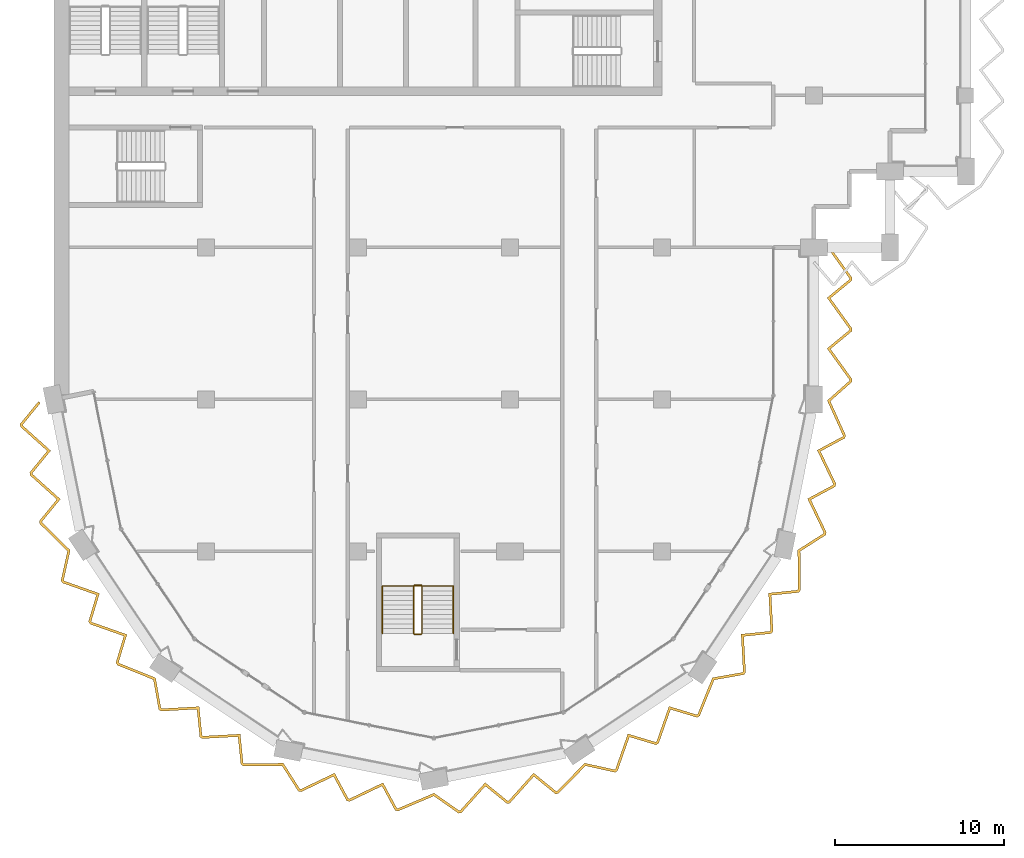
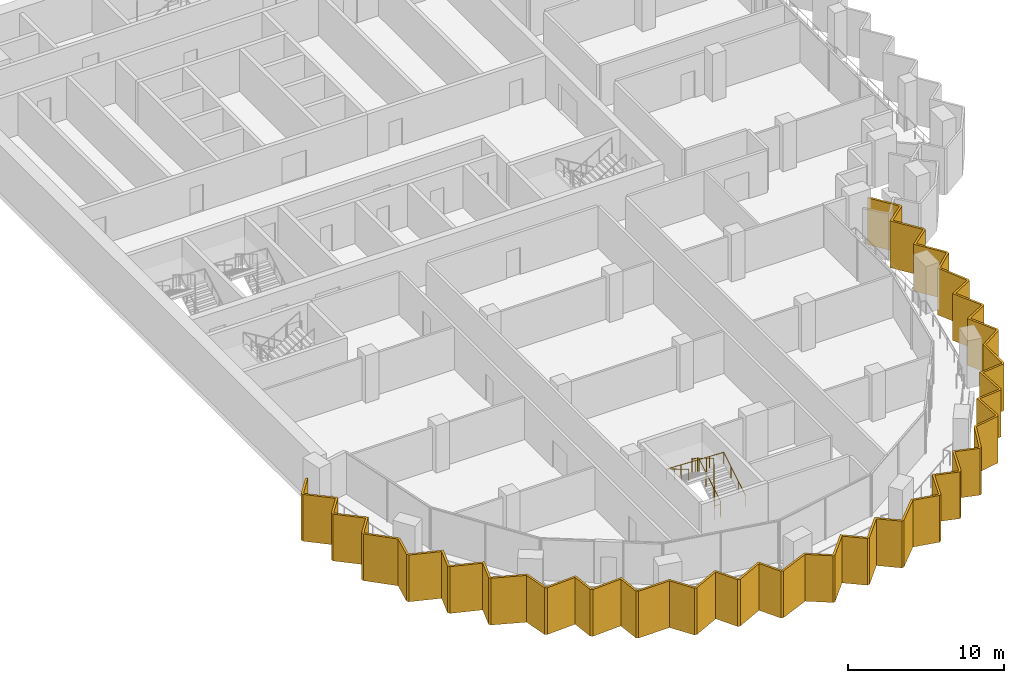
# One storey, part 13 of 16: 2 railings, 1 shading device.
"""IFC4 building model written with IfcOpenShell, lengths in metres."""

from ifc_helpers import new_model, si_unit, direction, frame, origin, origin_2d, place, context, subcontext, project, spatial, polyline, circle, outline, extrude, material, layer, layer_set, type_object, element, save


model = new_model("IFC4")

# Units and contexts
model_context = context("Model", 3, precision=1e-05, world=origin(), true_north=direction((0.0, 1.0)))
body_context = subcontext(model_context, "Body", "Model", "MODEL_VIEW")
ifc_project = project(units=[si_unit("LENGTHUNIT", "METRE"), si_unit("AREAUNIT", "SQUARE_METRE"), si_unit("VOLUMEUNIT", "CUBIC_METRE"), si_unit("PLANEANGLEUNIT", "RADIAN"), si_unit("MASSUNIT", "GRAM", prefix="KILO")], contexts=[model_context])

# Site, building, storey
site_placement = place(None, origin())
site = spatial("IfcSite", under=ifc_project, at=site_placement, CompositionType="ELEMENT")
building_placement = place(site_placement, origin())
building = spatial("IfcBuilding", under=site, at=building_placement, Name="Hunhe Ridgeline Campus", CompositionType="ELEMENT")
storey_placement = place(building_placement, frame((0.0, 0.0, 250.300048828125)))
storey = spatial("IfcBuildingStorey", under=building, at=storey_placement, Name="L64", CompositionType="ELEMENT", Elevation=250.300048828125)

# Shading device
ifc_material_1 = material(Name="Concrete C50", Category="concrete")
ifc_layer = layer(ifc_material_1, 0.14990234375)
ifc_layer_set = layer_set([ifc_layer], Name="Sawtooth concrete fin 150 Concrete C50")
shading_device_type = type_object("IfcShadingDeviceType", Name="Sawtooth concrete fin 150 Concrete C50", PredefinedType="USERDEFINED", material=ifc_layer_set)
shading_device_placement = place(storey_placement, frame((0.0, 0.0, -0.949951171875)))
element("IfcShadingDevice", 1, at=shading_device_placement, inside=storey, type_object=shading_device_type, Name="Concrete fin screen 1", ObjectType="FIN", PredefinedType="USERDEFINED", context=body_context, shape_type="SweptSolid", body=[
    extrude(outline(polyline([(-0.800048828125, 44.781982421875), (-0.916259765625, 44.876708984375), (-2.00439453125, 43.543701171875), (-1.96923828125, 43.366943359375), (-0.390625, 41.951171875), (-1.43359375, 40.673583984375), (-1.3984375, 40.496826171875), (0.18017578125, 39.0810546875), (-0.862548828125, 37.803466796875), (-0.827880859375, 37.62841796875), (0.806396484375, 36.02392578125), (0.419921875, 34.2744140625), (0.518310546875, 34.127197265625), (2.5185546875, 33.42333984375), (2.0439453125, 31.843994140625), (2.14404296875, 31.694091796875), (4.144287109375, 30.990234375), (3.669677734375, 29.410888671875), (3.768798828125, 29.262451171875), (5.892578125, 28.4052734375), (6.205322265625, 26.64111328125), (6.3525390625, 26.542724609375), (8.4697265625, 26.657958984375), (8.6357421875, 25.017333984375), (8.78564453125, 24.9169921875), (10.90283203125, 25.0322265625), (11.06884765625, 23.391357421875), (11.21728515625, 23.292236328125), (13.50732421875, 23.31298828125), (14.47119140625, 21.802978515625), (14.644775390625, 21.768310546875), (16.556884765625, 22.68505859375), (17.338134765625, 21.232666015625), (17.514892578125, 21.197509765625), (19.427001953125, 22.1142578125), (20.208251953125, 20.661865234375), (20.38330078125, 20.626953125), (22.4912109375, 21.5224609375), (23.95947265625, 20.496337890625), (24.133056640625, 20.53076171875), (25.548828125, 22.109375), (26.826416015625, 21.06640625), (27.003173828125, 21.1015625), (28.4189453125, 22.68017578125), (29.696533203125, 21.637451171875), (29.87158203125, 21.672119140625), (31.47607421875, 23.306396484375), (33.2255859375, 22.919921875), (33.372802734375, 23.018310546875), (34.07666015625, 25.0185546875), (35.656005859375, 24.5439453125), (35.805908203125, 24.64404296875), (36.509765625, 26.644287109375), (38.089111328125, 26.169677734375), (38.237548828125, 26.268798828125), (39.0947265625, 28.392578125), (40.85888671875, 28.705322265625), (40.957275390625, 28.8525390625), (40.842041015625, 30.9697265625), (42.482666015625, 31.1357421875), (42.5830078125, 31.28564453125), (42.4677734375, 33.40283203125), (44.108642578125, 33.56884765625), (44.207763671875, 33.71728515625), (44.18701171875, 36.00732421875), (45.697021484375, 36.97119140625), (45.731689453125, 37.144775390625), (44.81494140625, 39.056884765625), (46.267333984375, 39.838134765625), (46.302490234375, 40.014892578125), (45.3857421875, 41.927001953125), (46.838134765625, 42.708251953125), (46.873291015625, 42.88427734375), (45.966064453125, 44.89453125), (47.25, 46.0390625), (47.25, 46.216796875), (45.976806640625, 47.98681640625), (47.25, 49.037353515625), (47.25, 49.216796875), (45.976806640625, 50.98681640625), (47.25, 52.037353515625), (47.25, 52.216796875), (45.935791015625, 54.043701171875), (45.814208984375, 53.956298828125), (47.10009765625, 52.16845703125), (47.10009765625, 52.10791015625), (45.773193359375, 51.01318359375), (47.10009765625, 49.16845703125), (47.10009765625, 49.10791015625), (45.773193359375, 48.01318359375), (47.10009765625, 46.16845703125), (47.10009765625, 46.106201171875), (45.783935546875, 44.93310546875), (46.716796875, 42.8662109375), (46.704833984375, 42.806884765625), (45.188720703125, 41.9912109375), (46.1455078125, 39.9951171875), (46.134033203125, 39.936767578125), (44.617919921875, 39.12109375), (45.57470703125, 37.125), (45.5625, 37.063232421875), (44.0361328125, 36.089111328125), (44.057373046875, 33.76220703125), (44.023193359375, 33.7109375), (42.310302734375, 33.537841796875), (42.430419921875, 31.327392578125), (42.397216796875, 31.27783203125), (40.6845703125, 31.1044921875), (40.8046875, 28.894287109375), (40.769775390625, 28.841796875), (38.98681640625, 28.52587890625), (38.11572265625, 26.367919921875), (38.064697265625, 26.333740234375), (36.415771484375, 26.8291015625), (35.68115234375, 24.7412109375), (35.631591796875, 24.7080078125), (33.982666015625, 25.203369140625), (33.247802734375, 23.115234375), (33.195556640625, 23.080322265625), (31.427490234375, 23.470703125), (29.796875, 21.810302734375), (29.736572265625, 21.79833984375), (28.40283203125, 22.886962890625), (26.925048828125, 21.239013671875), (26.866455078125, 21.227294921875), (25.53271484375, 22.316162109375), (24.054931640625, 20.668212890625), (23.9931640625, 20.65576171875), (22.5087890625, 21.693115234375), (20.3671875, 20.783203125), (20.306884765625, 20.795166015625), (19.4912109375, 22.311279296875), (17.4951171875, 21.3544921875), (17.436767578125, 21.365966796875), (16.62109375, 22.882080078125), (14.625, 21.92529296875), (14.563232421875, 21.9375), (13.589111328125, 23.4638671875), (11.26220703125, 23.442626953125), (11.2109375, 23.476806640625), (11.037841796875, 25.189697265625), (8.827392578125, 25.069580078125), (8.77783203125, 25.102783203125), (8.6044921875, 26.8154296875), (6.394287109375, 26.6953125), (6.341796875, 26.730224609375), (6.02587890625, 28.51318359375), (3.867919921875, 29.38427734375), (3.833740234375, 29.435302734375), (4.3291015625, 31.084228515625), (2.2412109375, 31.81884765625), (2.2080078125, 31.868408203125), (2.703369140625, 33.517333984375), (0.615234375, 34.252197265625), (0.580322265625, 34.304443359375), (0.970703125, 36.072509765625), (-0.689697265625, 37.703125), (-0.70166015625, 37.763427734375), (0.386962890625, 39.09716796875), (-1.260986328125, 40.574951171875), (-1.272705078125, 40.633544921875), (-0.183837890625, 41.96728515625), (-1.831787109375, 43.445068359375), (-1.843505859375, 43.503662109375), (-0.800048828125, 44.781982421875)])), origin(), (0.0, 0.0, 1.0), 3.64990234375),
])

# Railings
ifc_material_2 = material(Name="Stainless steel balustrade", Category="steel")
railing_type_1 = type_object("IfcRailingType", Name="Stair guard 1100 stainless", PredefinedType="GUARDRAIL", material=ifc_material_2)
railing_1_placement = place(storey_placement, frame((21.800048828125, 31.14990234375, 0.168212890625)))
element("IfcRailing", 2, at=railing_1_placement, inside=storey, type_object=railing_type_1, Name="L64 stair W3 guard", PredefinedType="GUARDRAIL", context=body_context, shape_type="SweptSolid", body=[
    extrude(circle(Radius=0.02392578125, at=origin_2d()), frame((0.0, 0.0, 1.076171875), z_axis=(0.0, 0.857275202839, 0.514858452973), x_axis=(-1.0, 0.0, 0.0)), (0.0, 0.0, 1.0), 3.26611328125),
    extrude(circle(Radius=0.02392578125, at=origin_2d()), frame((0.0, 2.800048828125, 2.7578125), z_axis=(-0.707106781187, 0.707106781187, 0.0), x_axis=(-0.707106781187, -0.707106781187, 0.0)), (0.0, 0.0, 1.0), 0.07080078125),
    extrude(circle(Radius=0.02392578125, at=origin_2d()), frame((-0.050048828125, 2.85009765625, 2.7578125), z_axis=(-1.0, 0.0, 0.0), x_axis=(0.0, -1.0, 0.0)), (0.0, 0.0, 1.0), 0.39990234375),
    extrude(circle(Radius=0.02392578125, at=origin_2d()), frame((-0.449951171875, 2.85009765625, 2.7578125), z_axis=(-0.274243871929, -0.274243871929, 0.92172696468), x_axis=(0.707106781187, -0.707106781187, 0.0)), (0.0, 0.0, 1.0), 0.1826171875),
    extrude(circle(Radius=0.02392578125, at=origin_2d()), frame((-0.5, 2.800048828125, 2.92578125), z_axis=(0.0, -0.857242210791, 0.514913383045), x_axis=(1.0, 0.0, 0.0)), (0.0, 0.0, 1.0), 3.266357421875),
    extrude(circle(Radius=0.02392578125, at=origin_2d()), frame((-0.5, 0.0, 4.60791015625), z_axis=(0.013524426427, -0.013458453615, -0.999817963389), x_axis=(0.705375805398, 0.708833529934, 0.0)), (0.0, 0.0, 1.0), 3.70068359375),
    extrude(circle(Radius=0.02392578125, at=origin_2d()), frame((-0.449951171875, -0.0498046875, 0.90771484375), z_axis=(1.0, 0.0, 0.0), x_axis=(0.0, 1.0, 0.0)), (0.0, 0.0, 1.0), 0.39990234375),
    extrude(circle(Radius=0.02099609375, at=origin_2d()), origin(), (0.0, 0.0, 1.0), 1.052001953125),
    extrude(circle(Radius=0.02099609375, at=origin_2d()), frame((0.0, 0.933349609375, 0.560546875)), (0.0, 0.0, 1.0), 1.052001953125),
    extrude(circle(Radius=0.02099609375, at=origin_2d()), frame((0.0, 1.86669921875, 1.12109375)), (0.0, 0.0, 1.0), 1.052001953125),
    extrude(circle(Radius=0.02099609375, at=origin_2d()), frame((0.0, 2.800048828125, 1.681640625)), (0.0, 0.0, 1.0), 1.052001953125),
    extrude(circle(Radius=0.02099609375, at=origin_2d()), frame((-0.050048828125, 2.85009765625, 1.681640625)), (0.0, 0.0, 1.0), 1.052001953125),
    extrude(circle(Radius=0.02099609375, at=origin_2d()), frame((-0.449951171875, 2.85009765625, 1.681640625)), (0.0, 0.0, 1.0), 1.052001953125),
    extrude(circle(Radius=0.02099609375, at=origin_2d()), frame((-0.5, 2.800048828125, 1.849853515625)), (0.0, 0.0, 1.0), 1.052001953125),
    extrude(circle(Radius=0.02099609375, at=origin_2d()), frame((-0.5, 1.86669921875, 2.410400390625)), (0.0, 0.0, 1.0), 1.052001953125),
    extrude(circle(Radius=0.02099609375, at=origin_2d()), frame((-0.5, 0.933349609375, 2.97119140625)), (0.0, 0.0, 1.0), 1.052001953125),
    extrude(circle(Radius=0.02099609375, at=origin_2d()), frame((-0.5, 0.0, 3.53173828125)), (0.0, 0.0, 1.0), 1.052001953125),
    extrude(circle(Radius=0.02099609375, at=origin_2d()), frame((-0.487548828125, -0.012451171875, 2.606689453125)), (0.0, 0.0, 1.0), 1.052001953125),
    extrude(circle(Radius=0.02099609375, at=origin_2d()), frame((-0.47509765625, -0.02490234375, 1.681640625)), (0.0, 0.0, 1.0), 1.052001953125),
    extrude(circle(Radius=0.02099609375, at=origin_2d()), frame((-0.46240234375, -0.037353515625, 0.7568359375)), (0.0, 0.0, 1.0), 1.052001953125),
    extrude(circle(Radius=0.02099609375, at=origin_2d()), frame((-0.449951171875, -0.0498046875, -0.168212890625)), (0.0, 0.0, 1.0), 1.052001953125),
    extrude(circle(Radius=0.02099609375, at=origin_2d()), frame((-0.050048828125, -0.0498046875, -0.168212890625)), (0.0, 0.0, 1.0), 1.052001953125),
])
ifc_material_3 = material(Name="Stainless steel handrail", Category="steel")
railing_type_2 = type_object("IfcRailingType", Name="Stair handrail 900 stainless", PredefinedType="HANDRAIL", material=ifc_material_3)
railing_2_placement = place(storey_placement, frame((23.64990234375, 31.14990234375, 0.168212890625)))
element("IfcRailing", 3, at=railing_2_placement, inside=storey, type_object=railing_type_2, Name="L64 stair W3 handrail", PredefinedType="HANDRAIL", context=body_context, shape_type="SweptSolid", body=[
    extrude(circle(Radius=0.02392578125, at=origin_2d()), frame((0.0, 0.0, 0.8759765625), z_axis=(0.0, 0.857275202839, 0.514858452973), x_axis=(-1.0, 0.0, 0.0)), (0.0, 0.0, 1.0), 3.26611328125),
    extrude(circle(Radius=0.02392578125, at=origin_2d()), frame((0.0, 2.800048828125, 2.5576171875), z_axis=(-0.999198916169, 0.0, 0.040019069537), x_axis=(0.0, -1.0, 0.0)), (0.0, 0.0, 1.0), 4.203369140625),
    extrude(circle(Radius=0.02392578125, at=origin_2d()), frame((-4.199951171875, 2.800048828125, 2.7255859375), z_axis=(0.0, -0.857242210791, 0.514913383045), x_axis=(1.0, 0.0, 0.0)), (0.0, 0.0, 1.0), 3.266357421875),
    extrude(circle(Radius=0.02099609375, at=origin_2d()), origin(), (0.0, 0.0, 1.0), 0.851806640625),
    extrude(circle(Radius=0.02099609375, at=origin_2d()), frame((0.0, 0.933349609375, 0.560546875)), (0.0, 0.0, 1.0), 0.851806640625),
    extrude(circle(Radius=0.02099609375, at=origin_2d()), frame((0.0, 1.86669921875, 1.12109375)), (0.0, 0.0, 1.0), 0.851806640625),
    extrude(circle(Radius=0.02099609375, at=origin_2d()), frame((0.0, 2.800048828125, 1.681640625)), (0.0, 0.0, 1.0), 0.851806640625),
    extrude(circle(Radius=0.02099609375, at=origin_2d()), frame((-1.050048828125, 2.800048828125, 1.7236328125)), (0.0, 0.0, 1.0), 0.851806640625),
    extrude(circle(Radius=0.02099609375, at=origin_2d()), frame((-2.10009765625, 2.800048828125, 1.765625)), (0.0, 0.0, 1.0), 0.851806640625),
    extrude(circle(Radius=0.02099609375, at=origin_2d()), frame((-3.14990234375, 2.800048828125, 1.807861328125)), (0.0, 0.0, 1.0), 0.851806640625),
    extrude(circle(Radius=0.02099609375, at=origin_2d()), frame((-4.199951171875, 2.800048828125, 1.849853515625)), (0.0, 0.0, 1.0), 0.851806640625),
    extrude(circle(Radius=0.02099609375, at=origin_2d()), frame((-4.199951171875, 1.86669921875, 2.410400390625)), (0.0, 0.0, 1.0), 0.851806640625),
    extrude(circle(Radius=0.02099609375, at=origin_2d()), frame((-4.199951171875, 0.933349609375, 2.97119140625)), (0.0, 0.0, 1.0), 0.851806640625),
    extrude(circle(Radius=0.02099609375, at=origin_2d()), frame((-4.199951171875, 0.0, 3.53173828125)), (0.0, 0.0, 1.0), 0.851806640625),
])

save(model, "model.ifc")
